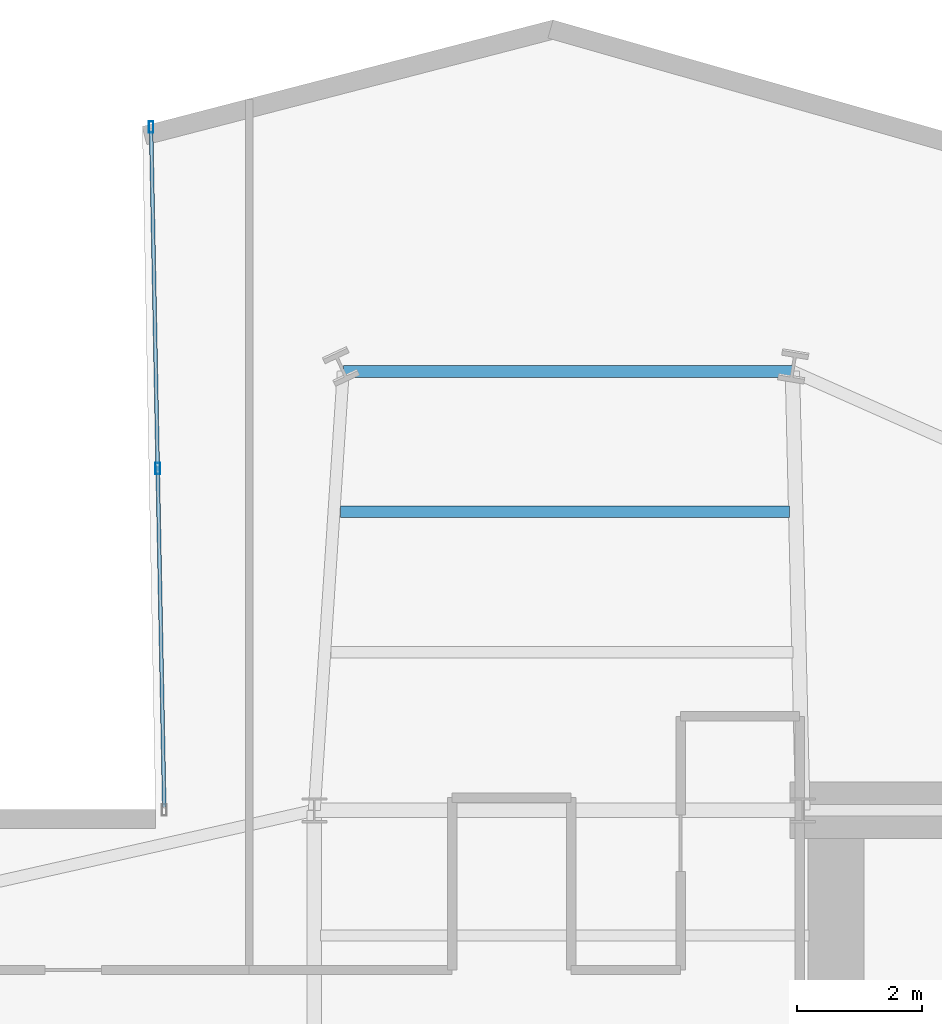
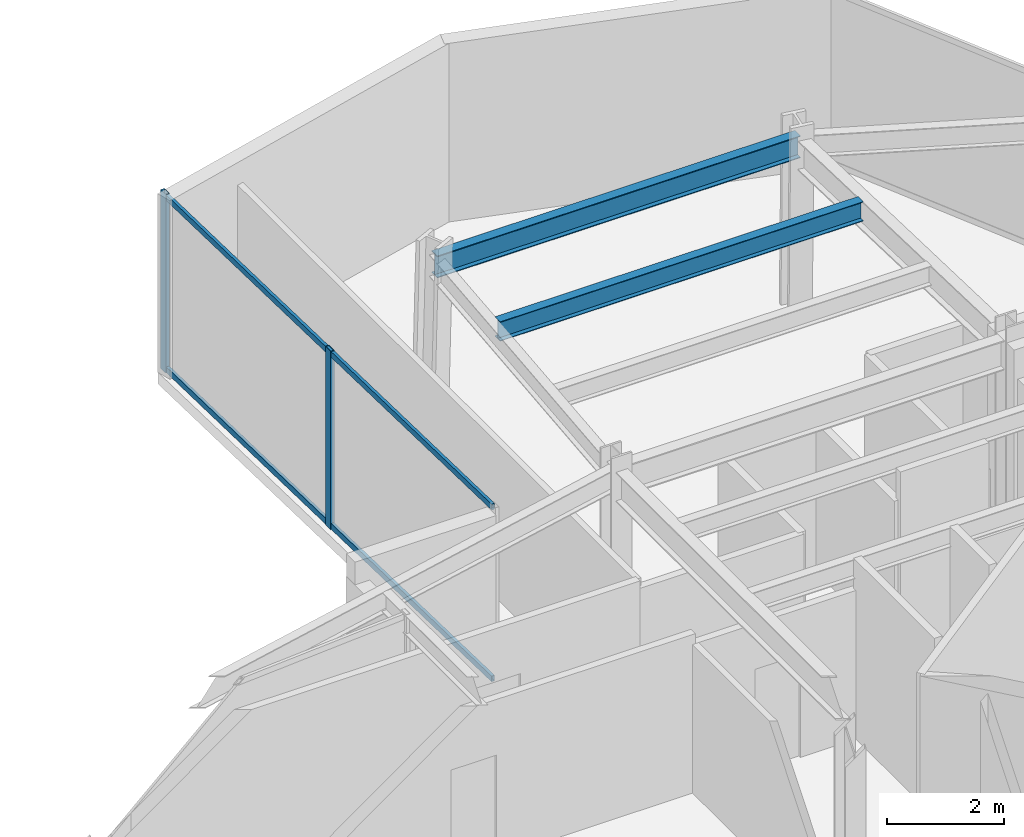
# One storey, part 17 of 25: 4 members, 2 beams, 1 element without a shape of its own.
"""IFC4 building model written with IfcOpenShell, lengths in metres."""

from ifc_helpers import new_model, si_unit, direction, frame, origin, origin_2d, place, context, subcontext, project, spatial, hollow_rectangle, i_section, extrude, material, layer, layer_set, material_profile, profile_set, type_object, element, aggregate, save


model = new_model("IFC4")

# Units and contexts
model_context = context("Model", 3, precision=1e-05, world=origin(), true_north=direction((0.0, 1.0)))
body_context = subcontext(model_context, "Body", "Model", "MODEL_VIEW")
ifc_project = project(units=[si_unit("LENGTHUNIT", "METRE"), si_unit("AREAUNIT", "SQUARE_METRE"), si_unit("VOLUMEUNIT", "CUBIC_METRE"), si_unit("PLANEANGLEUNIT", "RADIAN"), si_unit("MASSUNIT", "GRAM", prefix="KILO")], contexts=[model_context])

# Site, building, storey
site_placement = place(None, origin())
site = spatial("IfcSite", under=ifc_project, at=site_placement, CompositionType="ELEMENT")
building_placement = place(site_placement, origin())
building = spatial("IfcBuilding", under=site, at=building_placement, Name="Veymaron Broadcast Tower", CompositionType="ELEMENT")
storey_placement = place(building_placement, frame((0.0, 0.0, 102.60009765625)))
storey = spatial("IfcBuildingStorey", under=building, at=storey_placement, Name="L23", CompositionType="ELEMENT", Elevation=102.60009765625)

# Beams
ifc_material_1 = material(Name="Structural steel ASTM A992 Gr 50", Category="steel")
ifc_material_profile_1 = material_profile(ifc_material_1, i_section(OverallWidth=0.177978515625, OverallDepth=0.406982421875, WebThickness=0.0078125, FlangeThickness=0.0126953125, at=origin_2d()), Name="W410X60")
ifc_profile_set_1 = profile_set([ifc_material_profile_1], Name="Structural steel ASTM A992 Gr 50")
beam_type_1 = type_object("IfcBeamType", Name="BM-JS1", PredefinedType="JOIST", material=ifc_profile_set_1)
beam_1_placement = place(storey_placement, frame((31.6142578125, 36.766845703125, 3.5263671875), z_axis=(1.0, 0.0, 0.0), x_axis=(0.0, 1.0, 0.0)))
element("IfcBeam", 1, at=beam_1_placement, inside=storey, type_object=beam_type_1, Name="L23 Arm-B secondary joist 2", PredefinedType="JOIST", context=body_context, shape_type="SweptSolid", body=[
    extrude(i_section(OverallWidth=0.177978515625, OverallDepth=0.406982421875, WebThickness=0.0078125, FlangeThickness=0.0126953125, at=origin_2d()), origin(), (0.0, 0.0, 1.0), 7.173583984375),
])
ifc_material_profile_2 = material_profile(ifc_material_1, i_section(OverallWidth=0.19091796875, OverallDepth=0.4599609375, WebThickness=0.010009765625, FlangeThickness=0.01611328125, at=origin_2d()), Name="W460X82")
ifc_profile_set_2 = profile_set([ifc_material_profile_2], Name="Structural steel ASTM A992 Gr 50")
beam_type_2 = type_object("IfcBeamType", Name="BM-SP1", PredefinedType="SPANDREL", material=ifc_profile_set_2)
beam_2_placement = place(storey_placement, frame((31.662109375, 39.010009765625, 3.5), z_axis=(1.0, 0.0, 0.0), x_axis=(0.0, 1.0, 0.0)))
element("IfcBeam", 2, at=beam_2_placement, inside=storey, type_object=beam_type_2, Name="L23 primary structural floor girder", PredefinedType="SPANDREL", context=body_context, shape_type="SweptSolid", body=[
    extrude(i_section(OverallWidth=0.19091796875, OverallDepth=0.4599609375, WebThickness=0.010009765625, FlangeThickness=0.01611328125, at=origin_2d()), origin(), (0.0, 0.0, 1.0), 7.1728515625),
])

# Curtain wall, members
ifc_material_2 = material(Name="Anodised aluminium AA 6063-T6 and laminated low-E dark glass", Category="aluminium")
ifc_layer = layer(ifc_material_2, 0.179931640625)
ifc_layer_set = layer_set([ifc_layer], Name="Anodised aluminium AA 6063-T6 and laminated low-E dark glass")
curtain_wall_type = type_object("IfcCurtainWallType", Name="CW-SYS-02", PredefinedType="NOTDEFINED", material=ifc_layer_set)
curtain_wall_placement = place(storey_placement, origin())
curtain_wall = element("IfcCurtainWall", 3, at=curtain_wall_placement, inside=storey, type_object=curtain_wall_type, Name="L23 dark-glass curtain wall CW-L23-E8-1", PredefinedType="NOTDEFINED")
ifc_material_3 = material(Name="Anodised aluminium AA 6063-T6", Category="aluminium")
ifc_material_profile_3 = material_profile(ifc_material_3, hollow_rectangle(XDim=0.074951171875, YDim=0.179931640625, WallThickness=0.0048828125, at=origin_2d()), Name="AL180X75X5")
ifc_profile_set_3 = profile_set([ifc_material_profile_3], Name="Anodised aluminium AA 6063-T6")
member_type_1 = type_object("IfcMemberType", Name="CW-MUL-02", PredefinedType="MULLION", material=ifc_profile_set_3)
member_1_placement = place(storey_placement, frame((28.59326171875, 42.91259765625, 0.0), z_axis=(0.0, 0.0, 1.0), x_axis=(1.0, 0.0, 0.0)))
member_1 = element("IfcMember", 4, at=member_1_placement, type_object=member_type_1, Name="CW-L23-E8-1 mullion 0", PredefinedType="MULLION", context=body_context, shape_type="SweptSolid", body=[
    extrude(hollow_rectangle(XDim=0.074951171875, YDim=0.179931640625, WallThickness=0.0048828125, at=origin_2d()), origin(), (0.0, 0.0, 1.0), 3.72998046875),
])
member_2_placement = place(storey_placement, frame((28.698974609375, 37.457763671875, 0.0), z_axis=(0.0, 0.0, 1.0), x_axis=(1.0, 0.0, 0.0)))
member_2 = element("IfcMember", 5, at=member_2_placement, type_object=member_type_1, Name="CW-L23-E8-1 mullion 1", PredefinedType="MULLION", context=body_context, shape_type="SweptSolid", body=[
    extrude(hollow_rectangle(XDim=0.074951171875, YDim=0.179931640625, WallThickness=0.0048828125, at=origin_2d()), origin(), (0.0, 0.0, 1.0), 3.72998046875),
])
ifc_material_profile_4 = material_profile(ifc_material_3, hollow_rectangle(XDim=0.06005859375, YDim=0.1201171875, WallThickness=0.00390625, at=origin_2d()), Name="AL120X60X4")
ifc_profile_set_4 = profile_set([ifc_material_profile_4], Name="Anodised aluminium AA 6063-T6")
member_type_2 = type_object("IfcMemberType", Name="CW-TRN-02", PredefinedType="USERDEFINED", material=ifc_profile_set_4)
member_3_placement = place(storey_placement, frame((28.59423828125, 42.86279296875, 0.06982421875), z_axis=(0.019351360097, -0.999812744899, 0.0), x_axis=(0.999812744899, 0.019351360097, 0.0)))
member_3 = element("IfcMember", 6, at=member_3_placement, type_object=member_type_2, Name="CW-L23-E8-1 transom B", ObjectType="TRANSOM", PredefinedType="USERDEFINED", context=body_context, shape_type="SweptSolid", body=[
    extrude(hollow_rectangle(XDim=0.06005859375, YDim=0.1201171875, WallThickness=0.00390625, at=origin_2d()), origin(), (0.0, 0.0, 1.0), 10.81201171875),
])
member_4_placement = place(storey_placement, frame((28.59423828125, 42.86279296875, 3.659912109375), z_axis=(0.019351360097, -0.999812744899, 0.0), x_axis=(0.999812744899, 0.019351360097, 0.0)))
member_4 = element("IfcMember", 7, at=member_4_placement, type_object=member_type_2, Name="CW-L23-E8-1 transom T", ObjectType="TRANSOM", PredefinedType="USERDEFINED", context=body_context, shape_type="SweptSolid", body=[
    extrude(hollow_rectangle(XDim=0.06005859375, YDim=0.1201171875, WallThickness=0.00390625, at=origin_2d()), origin(), (0.0, 0.0, 1.0), 10.81201171875),
])
aggregate(curtain_wall, [member_1, member_2, member_3, member_4])

save(model, "model.ifc")
